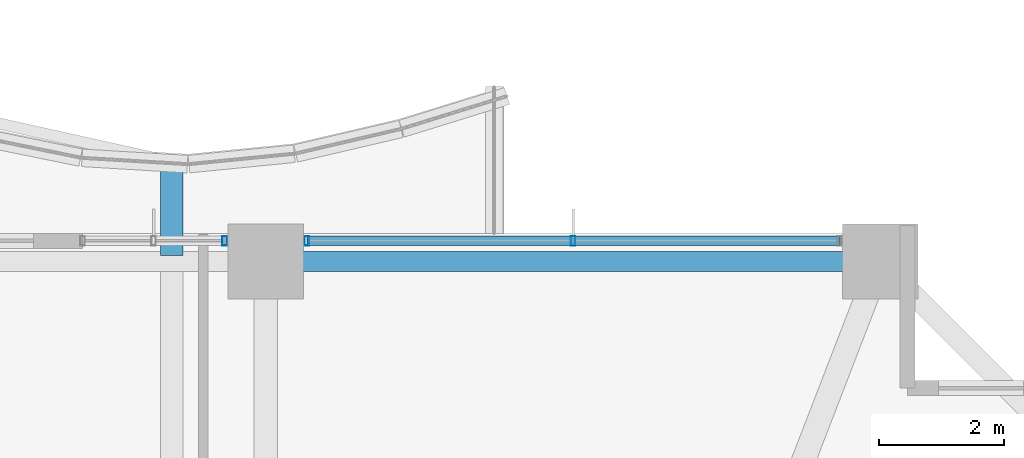
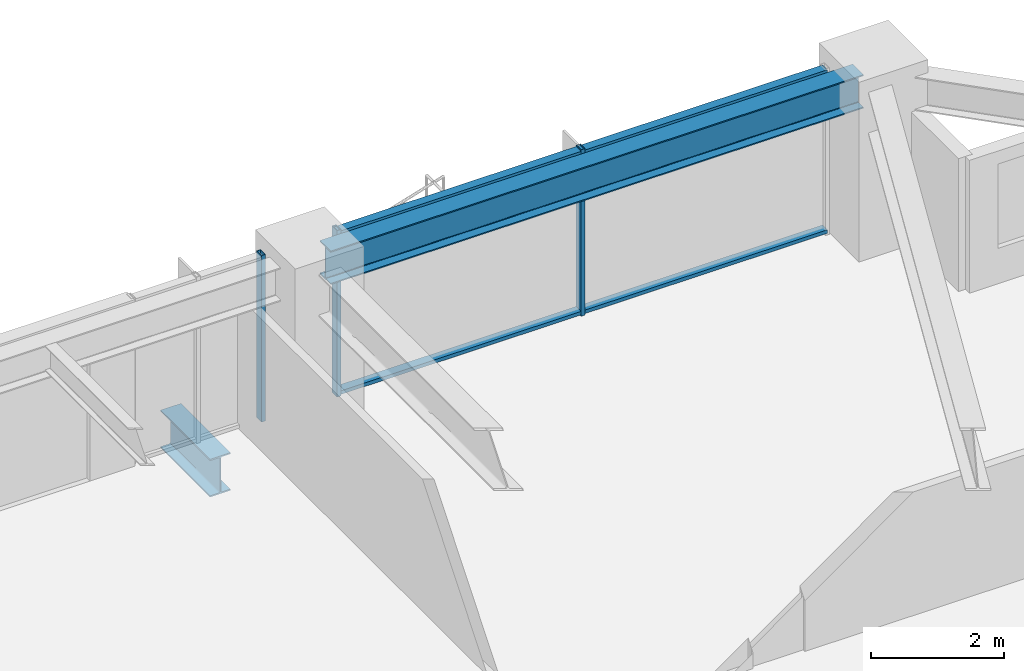
# One storey, part 22 of 38: 5 members, 2 beams, 2 elements without a shape of their own.
"""IFC4 building model written with IfcOpenShell, lengths in metres."""

from ifc_helpers import new_model, si_unit, direction, frame, origin, origin_2d, place, context, subcontext, project, spatial, hollow_rectangle, i_section, extrude, material, material_profile, profile_set, type_object, element, aggregate, save


model = new_model("IFC4")

# Units and contexts
model_context = context("Model", 3, precision=1e-05, world=origin(), true_north=direction((0.0, 1.0)))
body_context = subcontext(model_context, "Body", "Model", "MODEL_VIEW")
ifc_project = project(units=[si_unit("LENGTHUNIT", "METRE"), si_unit("AREAUNIT", "SQUARE_METRE"), si_unit("VOLUMEUNIT", "CUBIC_METRE"), si_unit("PLANEANGLEUNIT", "RADIAN"), si_unit("MASSUNIT", "GRAM", prefix="KILO")], contexts=[model_context])

# Site, building, storey
site_placement = place(None, origin())
site = spatial("IfcSite", under=ifc_project, at=site_placement, CompositionType="ELEMENT")
building_placement = place(site_placement, origin())
building = spatial("IfcBuilding", under=site, at=building_placement, Name="Kolvaren Belvedere", CompositionType="ELEMENT")
storey_placement = place(building_placement, frame((0.0, 0.0, 30.39990234375)))
storey = spatial("IfcBuildingStorey", under=building, at=storey_placement, Name="L08", CompositionType="ELEMENT", Elevation=30.39990234375)

# Beams
ifc_material_1 = material(Name="Structural steel ASTM A992 Grade 50", Category="steel")
ifc_material_profile_1 = material_profile(ifc_material_1, i_section(OverallWidth=0.35498046875, OverallDepth=0.696044921875, WebThickness=0.015380859375, FlangeThickness=0.02490234375, FilletRadius=0.02197265625, at=origin_2d()), Name="W27X146")
ifc_profile_set_1 = profile_set([ifc_material_profile_1], Name="Structural steel ASTM A992 Grade 50")
beam_type_1 = type_object("IfcBeamType", Name="BM-CANT-BAL", PredefinedType="BEAM", material=ifc_profile_set_1)
beam_1_placement = place(storey_placement, frame((3.10009765625, 21.64501953125, -0.587890625), z_axis=(0.0, 1.0, 0.0), x_axis=(-1.0, 0.0, 0.0)))
element("IfcBeam", 1, at=beam_1_placement, inside=storey, type_object=beam_type_1, Name="L08 Planted Balcony Cantilever BAL-N-2", PredefinedType="BEAM", context=body_context, shape_type="SweptSolid", body=[
    extrude(i_section(OverallWidth=0.35498046875, OverallDepth=0.696044921875, WebThickness=0.015380859375, FlangeThickness=0.02490234375, FilletRadius=0.02197265625, at=origin_2d()), origin(), (0.0, 0.0, 1.0), 1.49267578125),
])
ifc_material_2 = material(Name="Structural steel ASTM A992 Grade 50", Category="steel")
ifc_material_profile_2 = material_profile(ifc_material_2, i_section(OverallWidth=0.324951171875, OverallDepth=0.615966796875, WebThickness=0.013916015625, FlangeThickness=0.021484375, FilletRadius=0.02001953125, at=origin_2d()), Name="W24X117")
ifc_profile_set_2 = profile_set([ifc_material_profile_2], Name="Structural steel ASTM A992 Grade 50")
beam_type_2 = type_object("IfcBeamType", Name="BM-SPAN-W24X117", PredefinedType="SPANDREL", material=ifc_profile_set_2)
beam_2_placement = place(storey_placement, frame((14.1298828125, 21.550048828125, 2.752197265625), z_axis=(-1.0, 0.0, 0.0), x_axis=(0.0, -1.0, 0.0)))
element("IfcBeam", 2, at=beam_2_placement, inside=storey, type_object=beam_type_2, Name="L08 Perimeter Spandrel N4-N3", PredefinedType="SPANDREL", context=body_context, shape_type="SweptSolid", body=[
    extrude(i_section(OverallWidth=0.324951171875, OverallDepth=0.615966796875, WebThickness=0.013916015625, FlangeThickness=0.021484375, FilletRadius=0.02001953125, at=origin_2d()), origin(), (0.0, 0.0, 1.0), 9.259765625),
])

# Curtain wall, member
ifc_material_3 = material(Name="Anodised pale-metal aluminium AA 6063-T6", Category="aluminium")
curtain_wall_type = type_object("IfcCurtainWallType", Name="CW-Z1-LOW", PredefinedType="NOTDEFINED", material=ifc_material_3)
curtain_wall_1_placement = place(storey_placement, origin())
curtain_wall_1 = element("IfcCurtainWall", 3, at=curtain_wall_1_placement, inside=storey, type_object=curtain_wall_type, Name="L08 Unitised Curtain Wall FCW-L08-N2-B1", PredefinedType="NOTDEFINED")
ifc_material_4 = material(Name="Anodised pale-metal aluminium AA 6063-T6", Category="aluminium")
ifc_material_profile_3 = material_profile(ifc_material_4, hollow_rectangle(XDim=0.070068359375, YDim=0.14990234375, WallThickness=0.004150390625, at=origin_2d()), Name="ALU-MUL-150X70")
ifc_profile_set_3 = profile_set([ifc_material_profile_3], Name="Anodised pale-metal aluminium AA 6063-T6")
member_type_1 = type_object("IfcMemberType", Name="CW-MUL-150", PredefinedType="MULLION", material=ifc_profile_set_3)
member_1_placement = place(storey_placement, frame((3.945068359375, 21.8798828125, 0.0), z_axis=(0.0, 0.0, 1.0), x_axis=(1.0, 0.0, 0.0)))
member_1 = element("IfcMember", 4, at=member_1_placement, type_object=member_type_1, Name="FCW-L08-N2-B1 Unitised Mullion 3", PredefinedType="MULLION", context=body_context, shape_type="SweptSolid", body=[
    extrude(hollow_rectangle(XDim=0.070068359375, YDim=0.14990234375, WallThickness=0.004150390625, at=origin_2d()), origin(), (0.0, 0.0, 1.0), 3.06005859375),
])
aggregate(curtain_wall_1, [member_1])

# Curtain wall, members
curtain_wall_2_placement = place(storey_placement, origin())
curtain_wall_2 = element("IfcCurtainWall", 5, at=curtain_wall_2_placement, inside=storey, type_object=curtain_wall_type, Name="L08 Unitised Curtain Wall FCW-L08-N2-B2", PredefinedType="NOTDEFINED")
member_2_placement = place(storey_placement, frame((5.2548828125, 21.8798828125, 0.0), z_axis=(0.0, 0.0, 1.0), x_axis=(1.0, 0.0, 0.0)))
member_2 = element("IfcMember", 6, at=member_2_placement, type_object=member_type_1, Name="FCW-L08-N2-B2 Unitised Mullion 1", PredefinedType="MULLION", context=body_context, shape_type="SweptSolid", body=[
    extrude(hollow_rectangle(XDim=0.070068359375, YDim=0.14990234375, WallThickness=0.004150390625, at=origin_2d()), origin(), (0.0, 0.0, 1.0), 3.06005859375),
])
member_3_placement = place(storey_placement, frame((9.5, 21.8798828125, 0.0), z_axis=(0.0, 0.0, 1.0), x_axis=(1.0, 0.0, 0.0)))
member_3 = element("IfcMember", 7, at=member_3_placement, type_object=member_type_1, Name="FCW-L08-N2-B2 Unitised Mullion 2", PredefinedType="MULLION", context=body_context, shape_type="SweptSolid", body=[
    extrude(hollow_rectangle(XDim=0.070068359375, YDim=0.14990234375, WallThickness=0.004150390625, at=origin_2d()), origin(), (0.0, 0.0, 1.0), 3.06005859375),
])
ifc_material_5 = material(Name="Anodised pale-metal aluminium AA 6063-T6", Category="aluminium")
ifc_material_profile_4 = material_profile(ifc_material_5, hollow_rectangle(XDim=0.06494140625, YDim=0.14990234375, WallThickness=0.00390625, at=origin_2d()), Name="ALU-TRN-150X65")
ifc_profile_set_4 = profile_set([ifc_material_profile_4], Name="Anodised pale-metal aluminium AA 6063-T6")
member_type_2 = type_object("IfcMemberType", Name="CW-TRN-150", PredefinedType="USERDEFINED", material=ifc_profile_set_4)
member_4_placement = place(storey_placement, frame((5.2548828125, 21.8798828125, 0.06005859375), z_axis=(1.0, 0.0, 0.0), x_axis=(0.0, 0.0, 1.0)))
member_4 = element("IfcMember", 8, at=member_4_placement, type_object=member_type_2, Name="FCW-L08-N2-B2 Sill Transom", ObjectType="TRANSOM", PredefinedType="USERDEFINED", context=body_context, shape_type="SweptSolid", body=[
    extrude(hollow_rectangle(XDim=0.06494140625, YDim=0.14990234375, WallThickness=0.00390625, at=origin_2d()), origin(), (0.0, 0.0, 1.0), 8.490234375),
])
member_5_placement = place(storey_placement, frame((5.2548828125, 21.8798828125, 3.0), z_axis=(1.0, 0.0, 0.0), x_axis=(0.0, 0.0, 1.0)))
member_5 = element("IfcMember", 9, at=member_5_placement, type_object=member_type_2, Name="FCW-L08-N2-B2 Head Transom", ObjectType="TRANSOM", PredefinedType="USERDEFINED", context=body_context, shape_type="SweptSolid", body=[
    extrude(hollow_rectangle(XDim=0.06494140625, YDim=0.14990234375, WallThickness=0.00390625, at=origin_2d()), origin(), (0.0, 0.0, 1.0), 8.490234375),
])
aggregate(curtain_wall_2, [member_2, member_3, member_4, member_5])

save(model, "model.ifc")
